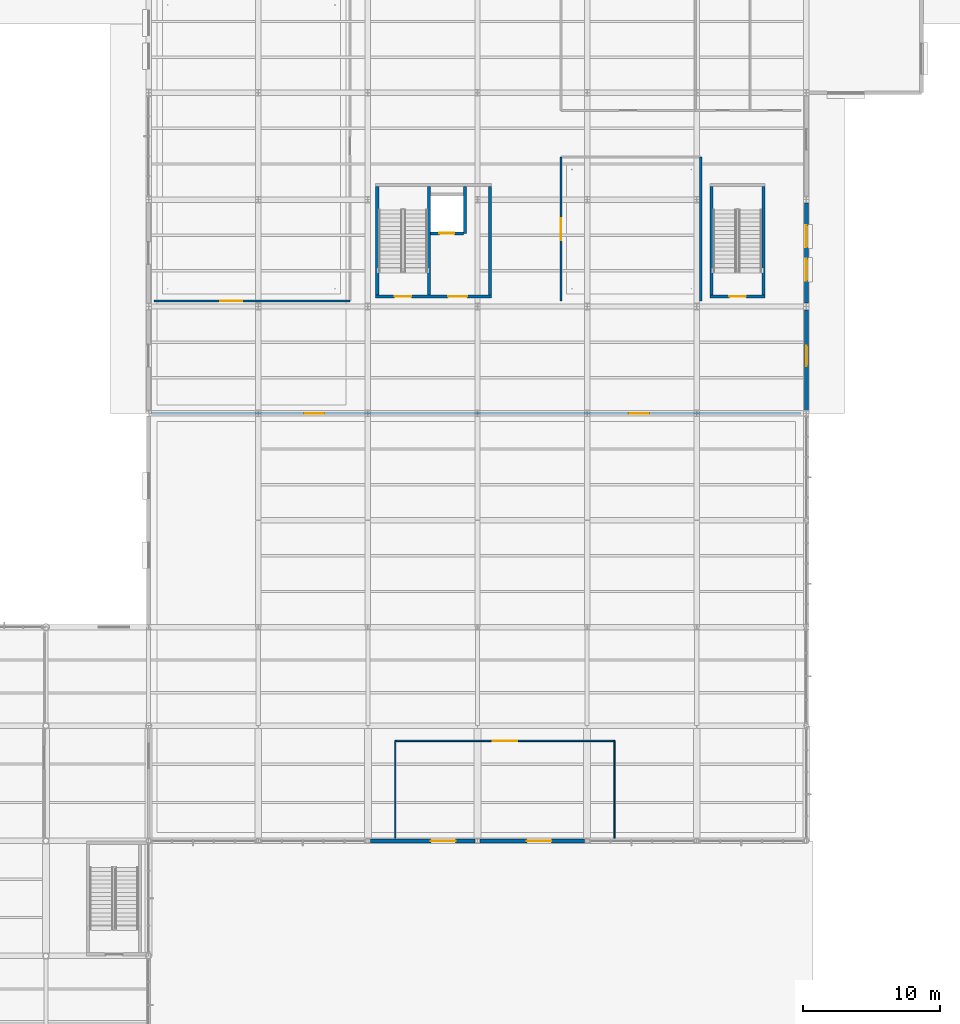
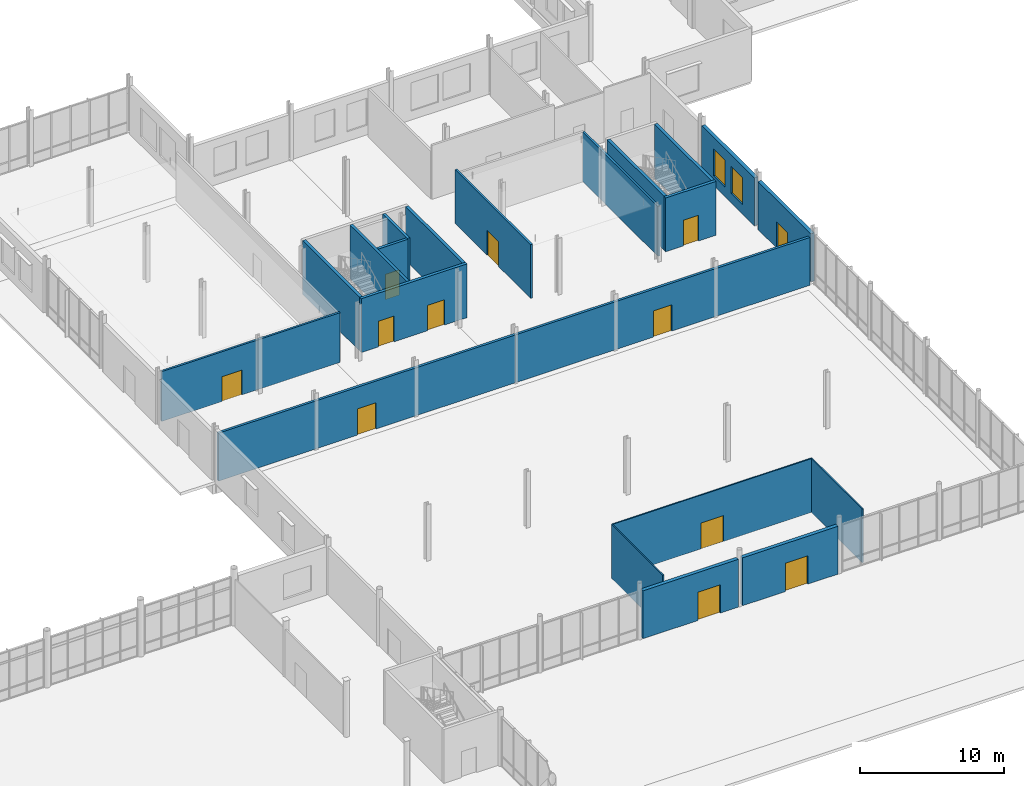
# One storey, part 54 of 82: 21 walls, 12 doors, 2 windows, 14 openings.
"""IFC4 building model written with IfcOpenShell, lengths in metres."""

from ifc_helpers import new_model, si_unit, direction, frame, frame_2d, origin, place, context, subcontext, project, spatial, rectangle, extrude, material, layer, layer_set, type_object, element, fill, save


model = new_model("IFC4")

# Units and contexts
model_context = context("Model", 3, precision=1e-05, world=origin(), true_north=direction((0.0, 1.0)))
body_context = subcontext(model_context, "Body", "Model", "MODEL_VIEW")
ifc_project = project(units=[si_unit("LENGTHUNIT", "METRE"), si_unit("AREAUNIT", "SQUARE_METRE"), si_unit("VOLUMEUNIT", "CUBIC_METRE"), si_unit("PLANEANGLEUNIT", "RADIAN"), si_unit("MASSUNIT", "GRAM", prefix="KILO")], contexts=[model_context])

# Site, building, storey
site_placement = place(None, origin())
site = spatial("IfcSite", under=ifc_project, at=site_placement, CompositionType="ELEMENT")
building_placement = place(site_placement, origin())
building = spatial("IfcBuilding", under=site, at=building_placement, Name="Yukiwa Park Conservatory and Herbarium", CompositionType="ELEMENT")
storey_placement = place(building_placement, origin())
storey = spatial("IfcBuildingStorey", under=building, at=storey_placement, Name="L00", CompositionType="ELEMENT", Elevation=0.0)

# Wall
ifc_material_1 = material(Name="Concrete C40", Category="concrete")
ifc_layer_1 = layer(ifc_material_1, 0.219970703125)
ifc_layer_set_1 = layer_set([ifc_layer_1], Name="Concrete C40")
wall_type_1 = type_object("IfcWallType", Name="WL-CORE-RC220", PredefinedType="SHEAR", material=ifc_layer_set_1)
wall_1_placement = place(storey_placement, frame((80.4599609375, 55.449951171875, 0.0), z_axis=(0.0, 0.0, 1.0), x_axis=(0.0, 1.0, 0.0)))
element("IfcWall", 1, at=wall_1_placement, inside=storey, type_object=wall_type_1, Name="L00 core shear wall 96", PredefinedType="SHEAR", context=body_context, shape_type="SweptSolid", body=[
    extrude(rectangle(XDim=7.900146484375, YDim=0.219970703125, at=frame_2d((3.9501953125, 0.0))), origin(), (0.0, 0.0, 1.0), 4.56005859375),
])

# Wall, opening, door
wall_2_placement = place(storey_placement, frame((80.570068359375, 59.93994140625, 0.0), z_axis=(0.0, 0.0, 1.0), x_axis=(1.0, 0.0, 0.0)))
wall_2 = element("IfcWall", 2, at=wall_2_placement, inside=storey, type_object=wall_type_1, Name="L00 core shear wall 98", PredefinedType="SHEAR", context=body_context, shape_type="SweptSolid", body=[
    extrude(rectangle(XDim=2.39990234375, YDim=0.219970703125, at=frame_2d((1.199951171875, 0.0))), origin(), (0.0, 0.0, 1.0), 4.56005859375),
])
opening_1_placement = place(wall_2_placement, frame((0.64990234375, 0.0, 0.0)))
opening_1 = element("IfcOpeningElement", 3, at=opening_1_placement, cuts=wall_2, Name="Opening LD-01", PredefinedType="OPENING", context=body_context, shape_type="SweptSolid", body=[
    extrude(rectangle(XDim=1.10009765625, YDim=2.14990234375, at=frame_2d((0.550048828125, 1.074951171875))), frame((0.0, 0.1201171875, 0.0), z_axis=(0.0, -1.0, 0.0), x_axis=(1.0, 0.0, 0.0)), (0.0, 0.0, 1.0), 0.239990234375),
])
ifc_material_2 = material(Name="Steel Q235B", Category="steel")
door_type_1 = type_object("IfcDoorType", Name="DR-LIFT-LD1100", OperationType="SLIDING_TO_LEFT", PredefinedType="DOOR", material=ifc_material_2)
door_1_placement = place(opening_1_placement, origin())
door_1 = element("IfcDoor", 4, at=door_1_placement, inside=storey, type_object=door_type_1, Name="L00 Visitor Accessible Lift VL1 sliding landing door", OperationType="SLIDING_TO_LEFT", OverallHeight=2.14990234375, OverallWidth=1.10009765625, PredefinedType="DOOR", context=body_context, shape_type="SweptSolid", body=[
    extrude(rectangle(XDim=1.10009765625, YDim=2.14990234375, at=frame_2d((0.550048828125, 1.074951171875))), frame((0.0, 0.02490234375, 0.0), z_axis=(0.0, -1.0, 0.0), x_axis=(1.0, 0.0, 0.0)), (0.0, 0.0, 1.0), 0.050048828125),
])
fill(opening_1, door_1)

# Wall
wall_3_placement = place(storey_placement, frame((83.080078125, 59.93994140625, 0.0), z_axis=(0.0, 0.0, 1.0), x_axis=(0.0, 1.0, 0.0)))
element("IfcWall", 5, at=wall_3_placement, inside=storey, type_object=wall_type_1, Name="L00 core shear wall 99", PredefinedType="SHEAR", context=body_context, shape_type="SweptSolid", body=[
    extrude(rectangle(XDim=3.41015625, YDim=0.219970703125, at=frame_2d((1.705078125, 0.0))), origin(), (0.0, 0.0, 1.0), 4.56005859375),
])

# Wall, openings, doors
ifc_material_3 = material(Name="Concrete C50", Category="concrete")
ifc_layer_2 = layer(ifc_material_3, 0.239990234375)
ifc_layer_set_2 = layer_set([ifc_layer_2], Name="Concrete C50")
wall_type_2 = type_object("IfcWallType", Name="WL-CORE-RC240", PredefinedType="SHEAR", material=ifc_layer_set_2)
wall_4_placement = place(storey_placement, frame((76.56005859375, 55.330078125, 0.0), z_axis=(0.0, 0.0, 1.0), x_axis=(1.0, 0.0, 0.0)))
wall_4 = element("IfcWall", 6, at=wall_4_placement, inside=storey, type_object=wall_type_2, Name="L00 core shear wall 93", PredefinedType="SHEAR", context=body_context, shape_type="SweptSolid", body=[
    extrude(rectangle(XDim=8.47998046875, YDim=0.239990234375, at=frame_2d((4.239990234375, 0.0))), origin(), (0.0, 0.0, 1.0), 4.56005859375),
])
opening_2_placement = place(wall_4_placement, frame((1.39990234375, 0.0, 0.0)))
opening_2 = element("IfcOpeningElement", 7, at=opening_2_placement, cuts=wall_4, Name="Opening SD-01", PredefinedType="OPENING", context=body_context, shape_type="SweptSolid", body=[
    extrude(rectangle(XDim=1.219970703125, YDim=2.179931640625, at=frame_2d((0.60986328125, 1.08984375))), frame((0.0, 0.1298828125, 0.0), z_axis=(0.0, -1.0, 0.0), x_axis=(1.0, 0.0, 0.0)), (0.0, 0.0, 1.0), 0.260009765625),
])
opening_3_placement = place(wall_4_placement, frame((5.300048828125, 0.0, 0.0)))
opening_3 = element("IfcOpeningElement", 8, at=opening_3_placement, cuts=wall_4, Name="Opening FD-06", PredefinedType="OPENING", context=body_context, shape_type="SweptSolid", body=[
    extrude(rectangle(XDim=1.3798828125, YDim=2.14990234375, at=frame_2d((0.68994140625, 1.074951171875))), frame((0.0, 0.1298828125, 0.0), z_axis=(0.0, -1.0, 0.0), x_axis=(1.0, 0.0, 0.0)), (0.0, 0.0, 1.0), 0.260009765625),
])
ifc_material_4 = material(Name="Steel Q235B", Category="steel")
door_type_2 = type_object("IfcDoorType", Name="DR-FIRE-FD60-1400", OperationType="DOUBLE_DOOR_SINGLE_SWING", PredefinedType="DOOR", material=ifc_material_4)
door_2_placement = place(opening_3_placement, frame((1.3798828125, 0.0, 0.0), z_axis=(0.0, 0.0, 1.0), x_axis=(-1.0, 0.0, 0.0)))
door_2 = element("IfcDoor", 9, at=door_2_placement, inside=storey, type_object=door_type_2, Name="L00 Visitor Lift Lobby double fire door", OperationType="DOUBLE_DOOR_SINGLE_SWING", OverallHeight=2.14990234375, OverallWidth=1.3798828125, PredefinedType="DOOR", context=body_context, shape_type="SweptSolid", body=[
    extrude(rectangle(XDim=1.3798828125, YDim=2.14990234375, at=frame_2d((0.68994140625, 1.074951171875))), frame((0.0, 0.02490234375, 0.0), z_axis=(0.0, -1.0, 0.0), x_axis=(1.0, 0.0, 0.0)), (0.0, 0.0, 1.0), 0.050048828125),
])
fill(opening_3, door_2)
ifc_material_5 = material(Name="Steel Q235B", Category="steel")
door_type_3 = type_object("IfcDoorType", Name="DR-STAIR-FD90-1200", OperationType="SINGLE_SWING_LEFT", PredefinedType="DOOR", material=ifc_material_5)
door_3_placement = place(opening_2_placement, origin())
door_3 = element("IfcDoor", 10, at=door_3_placement, inside=storey, type_object=door_type_3, Name="L00 Stairwell ST-V1 fire door", OperationType="SINGLE_SWING_LEFT", OverallHeight=2.179931640625, OverallWidth=1.219970703125, PredefinedType="DOOR", context=body_context, shape_type="SweptSolid", body=[
    extrude(rectangle(XDim=1.219970703125, YDim=2.179931640625, at=frame_2d((0.60986328125, 1.08984375))), frame((0.0, 0.02490234375, 0.0), z_axis=(0.0, -1.0, 0.0), x_axis=(1.0, 0.0, 0.0)), (0.0, 0.0, 1.0), 0.050048828125),
])
fill(opening_2, door_3)

# Walls
for number, where, z_axis, x_axis, name in (
    (11, (76.679931640625, 55.449951171875, 0.0), (0.0, 0.0, 1.0), (0.0, 1.0, 0.0), "L00 core shear wall 95"),
    (12, (84.919921875, 55.449951171875, 0.0), (0.0, 0.0, 1.0), (0.0, 1.0, 0.0), "L00 core shear wall 97"),
):
    element("IfcWall", number, at=place(storey_placement, frame(where, z_axis=z_axis, x_axis=x_axis)), inside=storey, type_object=wall_type_2, Name=name, PredefinedType="SHEAR", context=body_context, shape_type="SweptSolid", body=[
        extrude(rectangle(XDim=7.900146484375, YDim=0.239990234375, at=frame_2d((3.9501953125, 0.0))), origin(), (0.0, 0.0, 1.0), 4.56005859375),
    ])

# Wall, opening, door
wall_5_placement = place(storey_placement, frame((100.9599609375, 55.330078125, 0.0), z_axis=(0.0, 0.0, 1.0), x_axis=(1.0, 0.0, 0.0)))
wall_5 = element("IfcWall", 13, at=wall_5_placement, inside=storey, type_object=wall_type_2, Name="L00 core shear wall 113", PredefinedType="SHEAR", context=body_context, shape_type="SweptSolid", body=[
    extrude(rectangle(XDim=4.030029296875, YDim=0.239990234375, at=frame_2d((2.01513671875, 0.0))), origin(), (0.0, 0.0, 1.0), 4.56005859375),
])
opening_4_placement = place(wall_5_placement, frame((1.4150390625, 0.0, 0.0)))
opening_4 = element("IfcOpeningElement", 14, at=opening_4_placement, cuts=wall_5, Name="Opening SD-01", PredefinedType="OPENING", context=body_context, shape_type="SweptSolid", body=[
    extrude(rectangle(XDim=1.219970703125, YDim=2.179931640625, at=frame_2d((0.60986328125, 1.08984375))), frame((0.0, 0.1298828125, 0.0), z_axis=(0.0, -1.0, 0.0), x_axis=(1.0, 0.0, 0.0)), (0.0, 0.0, 1.0), 0.260009765625),
])
door_4_placement = place(opening_4_placement, origin())
door_4 = element("IfcDoor", 15, at=door_4_placement, inside=storey, type_object=door_type_3, Name="L00 Stairwell ST-V2 fire door", OperationType="SINGLE_SWING_LEFT", OverallHeight=2.179931640625, OverallWidth=1.219970703125, PredefinedType="DOOR", context=body_context, shape_type="SweptSolid", body=[
    extrude(rectangle(XDim=1.219970703125, YDim=2.179931640625, at=frame_2d((0.60986328125, 1.08984375))), frame((0.0, 0.02490234375, 0.0), z_axis=(0.0, -1.0, 0.0), x_axis=(1.0, 0.0, 0.0)), (0.0, 0.0, 1.0), 0.050048828125),
])
fill(opening_4, door_4)

# Walls
for number, where, z_axis, x_axis, name in (
    (16, (101.080078125, 55.449951171875, 0.0), (0.0, 0.0, 1.0), (0.0, 1.0, 0.0), "L00 core shear wall 115"),
    (17, (104.8701171875, 55.449951171875, 0.0), (0.0, 0.0, 1.0), (0.0, 1.0, 0.0), "L00 core shear wall 116"),
):
    element("IfcWall", number, at=place(storey_placement, frame(where, z_axis=z_axis, x_axis=x_axis)), inside=storey, type_object=wall_type_2, Name=name, PredefinedType="SHEAR", context=body_context, shape_type="SweptSolid", body=[
        extrude(rectangle(XDim=7.900146484375, YDim=0.239990234375, at=frame_2d((3.9501953125, 0.0))), origin(), (0.0, 0.0, 1.0), 4.56005859375),
    ])

# Wall, opening, door
ifc_material_6 = material(Name="Charred Larch Cladding", Category="wood")
ifc_layer_3 = layer(ifc_material_6, 0.2900390625)
ifc_layer_set_3 = layer_set([ifc_layer_3], Name="Charred Larch Cladding")
wall_type_3 = type_object("IfcWallType", Name="WL-EXT-LARCH-290", PredefinedType="SOLIDWALL", material=ifc_layer_set_3)
wall_6_placement = place(storey_placement, frame((76.177734375, 15.60009765625, 0.0), z_axis=(0.0, 0.0, 1.0), x_axis=(1.0, 0.0, 0.0)))
wall_6 = element("IfcWall", 18, at=wall_6_placement, inside=storey, type_object=wall_type_3, Name="L00 exterior envelope wall 94", PredefinedType="SOLIDWALL", context=body_context, shape_type="SweptSolid", body=[
    extrude(rectangle(XDim=7.64453125, YDim=0.2900390625, at=frame_2d((3.822265625, 0.0))), origin(), (0.0, 0.0, 1.0), 4.06005859375),
])
opening_5_placement = place(wall_6_placement, frame((4.422119140625, 0.0, 0.0)))
opening_5 = element("IfcOpeningElement", 19, at=opening_5_placement, cuts=wall_6, Name="Opening EX-D1", PredefinedType="OPENING", context=body_context, shape_type="SweptSolid", body=[
    extrude(rectangle(XDim=1.800048828125, YDim=2.39990234375, at=frame_2d((0.89990234375, 1.199951171875))), frame((0.0, 0.155029296875, 0.0), z_axis=(0.0, -1.0, 0.0), x_axis=(1.0, 0.0, 0.0)), (0.0, 0.0, 1.0), 0.31005859375),
])
ifc_material_7 = material(Name="Anodised Aluminium", Category="aluminium")
door_type_4 = type_object("IfcDoorType", Name="DR-EXT-1800X2400", OperationType="DOUBLE_DOOR_SINGLE_SWING", PredefinedType="DOOR", material=ifc_material_7)
door_5_placement = place(opening_5_placement, frame((1.800048828125, 0.0, 0.0), z_axis=(0.0, 0.0, 1.0), x_axis=(-1.0, 0.0, 0.0)))
door_5 = element("IfcDoor", 20, at=door_5_placement, inside=storey, type_object=door_type_4, Name="Winter Entrance Porch portal W EX-07", OperationType="DOUBLE_DOOR_SINGLE_SWING", OverallHeight=2.39990234375, OverallWidth=1.800048828125, PredefinedType="DOOR", context=body_context, shape_type="SweptSolid", body=[
    extrude(rectangle(XDim=1.800048828125, YDim=2.39990234375, at=frame_2d((0.89990234375, 1.199951171875))), frame((0.0, 0.02490234375, 0.0), z_axis=(0.0, -1.0, 0.0), x_axis=(1.0, 0.0, 0.0)), (0.0, 0.0, 1.0), 0.050048828125),
])
fill(opening_5, door_5)

wall_7_placement = place(storey_placement, frame((84.177734375, 15.60009765625, 0.0), z_axis=(0.0, 0.0, 1.0), x_axis=(1.0, 0.0, 0.0)))
wall_7 = element("IfcWall", 21, at=wall_7_placement, inside=storey, type_object=wall_type_3, Name="L00 exterior envelope wall 95", PredefinedType="SOLIDWALL", context=body_context, shape_type="SweptSolid", body=[
    extrude(rectangle(XDim=7.64453125, YDim=0.2900390625, at=frame_2d((3.822265625, 0.0))), origin(), (0.0, 0.0, 1.0), 4.06005859375),
])
opening_6_placement = place(wall_7_placement, frame((3.422119140625, 0.0, 0.0)))
opening_6 = element("IfcOpeningElement", 22, at=opening_6_placement, cuts=wall_7, Name="Opening EX-D1", PredefinedType="OPENING", context=body_context, shape_type="SweptSolid", body=[
    extrude(rectangle(XDim=1.800048828125, YDim=2.39990234375, at=frame_2d((0.89990234375, 1.199951171875))), frame((0.0, 0.155029296875, 0.0), z_axis=(0.0, -1.0, 0.0), x_axis=(1.0, 0.0, 0.0)), (0.0, 0.0, 1.0), 0.31005859375),
])
door_6_placement = place(opening_6_placement, frame((1.800048828125, 0.0, 0.0), z_axis=(0.0, 0.0, 1.0), x_axis=(-1.0, 0.0, 0.0)))
door_6 = element("IfcDoor", 23, at=door_6_placement, inside=storey, type_object=door_type_4, Name="Winter Entrance Porch portal E EX-08", OperationType="DOUBLE_DOOR_SINGLE_SWING", OverallHeight=2.39990234375, OverallWidth=1.800048828125, PredefinedType="DOOR", context=body_context, shape_type="SweptSolid", body=[
    extrude(rectangle(XDim=1.800048828125, YDim=2.39990234375, at=frame_2d((0.89990234375, 1.199951171875))), frame((0.0, 0.02490234375, 0.0), z_axis=(0.0, -1.0, 0.0), x_axis=(1.0, 0.0, 0.0)), (0.0, 0.0, 1.0), 0.050048828125),
])
fill(opening_6, door_6)

wall_8_placement = place(storey_placement, frame((108.0, 47.02001953125, 0.0), z_axis=(0.0, 0.0, 1.0), x_axis=(0.0, 1.0, 0.0)))
wall_8 = element("IfcWall", 24, at=wall_8_placement, inside=storey, type_object=wall_type_3, Name="L00 exterior envelope wall 96", PredefinedType="SOLIDWALL", context=body_context, shape_type="SweptSolid", body=[
    extrude(rectangle(XDim=7.3359375, YDim=0.2900390625, at=frame_2d((3.66796875, 0.0))), origin(), (0.0, 0.0, 1.0), 4.06591796875),
])
opening_7_placement = place(wall_8_placement, frame((3.22998046875, 0.0, 0.0)))
opening_7 = element("IfcOpeningElement", 25, at=opening_7_placement, cuts=wall_8, Name="Opening EX-D3", PredefinedType="OPENING", context=body_context, shape_type="SweptSolid", body=[
    extrude(rectangle(XDim=1.5, YDim=2.199951171875, at=frame_2d((0.75, 1.10009765625))), frame((0.0, 0.155029296875, 0.0), z_axis=(0.0, -1.0, 0.0), x_axis=(1.0, 0.0, 0.0)), (0.0, 0.0, 1.0), 0.31005859375),
])
ifc_material_8 = material(Name="Steel Q235B", Category="steel")
door_type_5 = type_object("IfcDoorType", Name="DR-EXT-1500X2200", OperationType="DOUBLE_DOOR_SINGLE_SWING", PredefinedType="DOOR", material=ifc_material_8)
door_7_placement = place(opening_7_placement, frame((1.5, 0.0, 0.0), z_axis=(0.0, 0.0, 1.0), x_axis=(-1.0, 0.0, 0.0)))
door_7 = element("IfcDoor", 26, at=door_7_placement, inside=storey, type_object=door_type_5, Name="Visitor Centre East stair exit EX-11", OperationType="DOUBLE_DOOR_SINGLE_SWING", OverallHeight=2.199951171875, OverallWidth=1.5, PredefinedType="DOOR", context=body_context, shape_type="SweptSolid", body=[
    extrude(rectangle(XDim=1.5, YDim=2.199951171875, at=frame_2d((0.75, 1.10009765625))), frame((0.0, 0.02490234375, 0.0), z_axis=(0.0, -1.0, 0.0), x_axis=(1.0, 0.0, 0.0)), (0.0, 0.0, 1.0), 0.050048828125),
])
fill(opening_7, door_7)

# Wall, openings, windows
wall_9_placement = place(storey_placement, frame((108.0, 54.843994140625, 0.0), z_axis=(0.0, 0.0, 1.0), x_axis=(0.0, 1.0, 0.0)))
wall_9 = element("IfcWall", 27, at=wall_9_placement, inside=storey, type_object=wall_type_3, Name="L00 exterior envelope wall 97", PredefinedType="SOLIDWALL", context=body_context, shape_type="SweptSolid", body=[
    extrude(rectangle(XDim=7.31201171875, YDim=0.2900390625, at=frame_2d((3.656005859375, 0.0))), origin(), (0.0, 0.0, 1.0), 4.06591796875),
])
opening_8_placement = place(wall_9_placement, frame((1.636962890625, 0.0, 0.800048828125)))
opening_8 = element("IfcOpeningElement", 28, at=opening_8_placement, cuts=wall_9, Name="Opening W-28", PredefinedType="OPENING", context=body_context, shape_type="SweptSolid", body=[
    extrude(rectangle(XDim=1.60009765625, YDim=2.300048828125, at=frame_2d((0.800048828125, 1.14990234375))), frame((0.0, 0.155029296875, 0.0), z_axis=(0.0, -1.0, 0.0), x_axis=(1.0, 0.0, 0.0)), (0.0, 0.0, 1.0), 0.31005859375),
])
opening_9_placement = place(wall_9_placement, frame((4.074951171875, 0.0, 0.800048828125)))
opening_9 = element("IfcOpeningElement", 29, at=opening_9_placement, cuts=wall_9, Name="Opening W-28", PredefinedType="OPENING", context=body_context, shape_type="SweptSolid", body=[
    extrude(rectangle(XDim=1.60009765625, YDim=2.300048828125, at=frame_2d((0.800048828125, 1.14990234375))), frame((0.0, 0.155029296875, 0.0), z_axis=(0.0, -1.0, 0.0), x_axis=(1.0, 0.0, 0.0)), (0.0, 0.0, 1.0), 0.31005859375),
])
ifc_material_9 = material(Name="Triple Low-E Insulated Glass", Category="glass")
window_type = type_object("IfcWindowType", Name="WN-VS-1600X2300", PartitioningType="SINGLE_PANEL", PredefinedType="WINDOW", material=ifc_material_9)
window_1_placement = place(opening_8_placement, origin())
window_1 = element("IfcWindow", 30, at=window_1_placement, inside=storey, type_object=window_type, Name="L00 deep-reveal triple-glazed window 1", OverallHeight=2.300048828125, OverallWidth=1.60009765625, PartitioningType="SINGLE_PANEL", PredefinedType="WINDOW", context=body_context, shape_type="SweptSolid", body=[
    extrude(rectangle(XDim=1.60009765625, YDim=2.300048828125, at=frame_2d((0.800048828125, 1.14990234375))), frame((0.0, 0.030029296875, 0.0), z_axis=(0.0, -1.0, 0.0), x_axis=(1.0, 0.0, 0.0)), (0.0, 0.0, 1.0), 0.06005859375),
])
fill(opening_8, window_1)
window_2_placement = place(opening_9_placement, origin())
window_2 = element("IfcWindow", 31, at=window_2_placement, inside=storey, type_object=window_type, Name="L00 deep-reveal triple-glazed window 2", OverallHeight=2.300048828125, OverallWidth=1.60009765625, PartitioningType="SINGLE_PANEL", PredefinedType="WINDOW", context=body_context, shape_type="SweptSolid", body=[
    extrude(rectangle(XDim=1.60009765625, YDim=2.300048828125, at=frame_2d((0.800048828125, 1.14990234375))), frame((0.0, 0.030029296875, 0.0), z_axis=(0.0, -1.0, 0.0), x_axis=(1.0, 0.0, 0.0)), (0.0, 0.0, 1.0), 0.06005859375),
])
fill(opening_9, window_2)

# Wall, opening, door
ifc_material_10 = material(Name="Gypsum Board Partition", Category="gypsum")
ifc_layer_4 = layer(ifc_material_10, 0.199951171875)
ifc_layer_set_4 = layer_set([ifc_layer_4], Name="Gypsum Board Partition")
wall_type_4 = type_object("IfcWallType", Name="WL-PART-FIRE-200", PredefinedType="SOLIDWALL", material=ifc_layer_set_4)
wall_10_placement = place(storey_placement, frame((60.199951171875, 46.800048828125, 0.0), z_axis=(0.0, 0.0, 1.0), x_axis=(1.0, 0.0, 0.0)))
wall_10 = element("IfcWall", 32, at=wall_10_placement, inside=storey, type_object=wall_type_4, Name="L00 interior partition wall 133", PredefinedType="SOLIDWALL", context=body_context, shape_type="SweptSolid", body=[
    extrude(rectangle(XDim=23.800048828125, YDim=0.199951171875, at=frame_2d((11.89990234375, 0.0))), origin(), (0.0, 0.0, 1.0), 4.06005859375),
])
opening_10_placement = place(wall_10_placement, frame((11.14990234375, 0.0, 0.0)))
opening_10 = element("IfcOpeningElement", 33, at=opening_10_placement, cuts=wall_10, Name="Opening FD-07", PredefinedType="OPENING", context=body_context, shape_type="SweptSolid", body=[
    extrude(rectangle(XDim=1.47998046875, YDim=2.219970703125, at=frame_2d((0.739990234375, 1.10986328125))), frame((0.0, 0.10986328125, 0.0), z_axis=(0.0, -1.0, 0.0), x_axis=(1.0, 0.0, 0.0)), (0.0, 0.0, 1.0), 0.219970703125),
])
ifc_material_11 = material(Name="Steel Q235B", Category="steel")
door_type_6 = type_object("IfcDoorType", Name="DR-FIRE-FD60-1500", OperationType="DOUBLE_DOOR_SINGLE_SWING", PredefinedType="DOOR", material=ifc_material_11)
door_8_placement = place(opening_10_placement, origin())
door_8 = element("IfcDoor", 34, at=door_8_placement, inside=storey, type_object=door_type_6, Name="L00 Concourse to Visitor Centre fire door W", OperationType="DOUBLE_DOOR_SINGLE_SWING", OverallHeight=2.219970703125, OverallWidth=1.47998046875, PredefinedType="DOOR", context=body_context, shape_type="SweptSolid", body=[
    extrude(rectangle(XDim=1.47998046875, YDim=2.219970703125, at=frame_2d((0.739990234375, 1.10986328125))), frame((0.0, 0.02490234375, 0.0), z_axis=(0.0, -1.0, 0.0), x_axis=(1.0, 0.0, 0.0)), (0.0, 0.0, 1.0), 0.050048828125),
])
fill(opening_10, door_8)

wall_11_placement = place(storey_placement, frame((84.0, 46.800048828125, 0.0), z_axis=(0.0, 0.0, 1.0), x_axis=(1.0, 0.0, 0.0)))
wall_11 = element("IfcWall", 35, at=wall_11_placement, inside=storey, type_object=wall_type_4, Name="L00 interior partition wall 134", PredefinedType="SOLIDWALL", context=body_context, shape_type="SweptSolid", body=[
    extrude(rectangle(XDim=23.60009765625, YDim=0.199951171875, at=frame_2d((11.800048828125, 0.0))), origin(), (0.0, 0.0, 1.0), 4.06005859375),
])
opening_11_placement = place(wall_11_placement, frame((11.050048828125, 0.0, 0.0)))
opening_11 = element("IfcOpeningElement", 36, at=opening_11_placement, cuts=wall_11, Name="Opening FD-07", PredefinedType="OPENING", context=body_context, shape_type="SweptSolid", body=[
    extrude(rectangle(XDim=1.47998046875, YDim=2.219970703125, at=frame_2d((0.739990234375, 1.10986328125))), frame((0.0, 0.10986328125, 0.0), z_axis=(0.0, -1.0, 0.0), x_axis=(1.0, 0.0, 0.0)), (0.0, 0.0, 1.0), 0.219970703125),
])
door_9_placement = place(opening_11_placement, origin())
door_9 = element("IfcDoor", 37, at=door_9_placement, inside=storey, type_object=door_type_6, Name="L00 Concourse to Visitor Centre fire door E", OperationType="DOUBLE_DOOR_SINGLE_SWING", OverallHeight=2.219970703125, OverallWidth=1.47998046875, PredefinedType="DOOR", context=body_context, shape_type="SweptSolid", body=[
    extrude(rectangle(XDim=1.47998046875, YDim=2.219970703125, at=frame_2d((0.739990234375, 1.10986328125))), frame((0.0, 0.02490234375, 0.0), z_axis=(0.0, -1.0, 0.0), x_axis=(1.0, 0.0, 0.0)), (0.0, 0.0, 1.0), 0.050048828125),
])
fill(opening_11, door_9)

ifc_material_12 = material(Name="Laminated Tempered Safety Glass", Category="glass")
ifc_layer_5 = layer(ifc_material_12, 0.10009765625)
ifc_layer_set_5 = layer_set([ifc_layer_5], Name="Laminated Tempered Safety Glass")
wall_type_5 = type_object("IfcWallType", Name="WL-PART-GLZ-150", PredefinedType="PARTITIONING", material=ifc_layer_set_5)
wall_12_placement = place(storey_placement, frame((78.0, 22.89990234375, 0.0), z_axis=(0.0, 0.0, 1.0), x_axis=(1.0, 0.0, 0.0)))
wall_12 = element("IfcWall", 38, at=wall_12_placement, inside=storey, type_object=wall_type_5, Name="L00 interior partition wall 130", PredefinedType="PARTITIONING", context=body_context, shape_type="SweptSolid", body=[
    extrude(rectangle(XDim=16.0, YDim=0.10009765625, at=frame_2d((8.0, 0.0))), origin(), (0.0, 0.0, 1.0), 4.56005859375),
])
opening_12_placement = place(wall_12_placement, frame((7.10009765625, 0.0, 0.0)))
opening_12 = element("IfcOpeningElement", 39, at=opening_12_placement, cuts=wall_12, Name="Opening GD-18", PredefinedType="OPENING", context=body_context, shape_type="SweptSolid", body=[
    extrude(rectangle(XDim=1.800048828125, YDim=2.199951171875, at=frame_2d((0.89990234375, 1.10009765625))), frame((0.0, 0.06005859375, 0.0), z_axis=(0.0, -1.0, 0.0), x_axis=(1.0, 0.0, 0.0)), (0.0, 0.0, 1.0), 0.1201171875),
])
ifc_material_13 = material(Name="Laminated Tempered Safety Glass", Category="glass")
door_type_7 = type_object("IfcDoorType", Name="DR-GLZ-1800", OperationType="DOUBLE_DOOR_SINGLE_SWING", PredefinedType="DOOR", material=ifc_material_13)
door_10_placement = place(opening_12_placement, origin())
door_10 = element("IfcDoor", 40, at=door_10_placement, inside=storey, type_object=door_type_7, Name="L00 Winter Entrance inner airlock door", OperationType="DOUBLE_DOOR_SINGLE_SWING", OverallHeight=2.199951171875, OverallWidth=1.800048828125, PredefinedType="DOOR", context=body_context, shape_type="SweptSolid", body=[
    extrude(rectangle(XDim=1.800048828125, YDim=2.199951171875, at=frame_2d((0.89990234375, 1.10009765625))), frame((0.0, 0.02490234375, 0.0), z_axis=(0.0, -1.0, 0.0), x_axis=(1.0, 0.0, 0.0)), (0.0, 0.0, 1.0), 0.050048828125),
])
fill(opening_12, door_10)

# Walls
for number, where, z_axis, x_axis, name in (
    (41, (78.0, 15.800048828125, 0.0), (0.0, 0.0, 1.0), (0.0, 1.0, 0.0), "L00 interior partition wall 131"),
    (42, (94.0, 15.800048828125, 0.0), (0.0, 0.0, 1.0), (0.0, 1.0, 0.0), "L00 interior partition wall 132"),
):
    element("IfcWall", number, at=place(storey_placement, frame(where, z_axis=z_axis, x_axis=x_axis)), inside=storey, type_object=wall_type_5, Name=name, PredefinedType="PARTITIONING", context=body_context, shape_type="SweptSolid", body=[
        extrude(rectangle(XDim=7.099853515625, YDim=0.10009765625, at=frame_2d((3.5498046875, 0.0))), origin(), (0.0, 0.0, 1.0), 4.56005859375),
    ])

# Wall, opening, door
ifc_material_14 = material(Name="Gypsum Board Partition", Category="gypsum")
ifc_layer_6 = layer(ifc_material_14, 0.159912109375)
ifc_layer_set_6 = layer_set([ifc_layer_6], Name="Gypsum Board Partition")
wall_type_6 = type_object("IfcWallType", Name="WL-PART-GYP-160", PredefinedType="PARTITIONING", material=ifc_layer_set_6)
wall_13_placement = place(storey_placement, frame((60.39990234375, 55.0, 0.0), z_axis=(0.0, 0.0, 1.0), x_axis=(1.0, 0.0, 0.0)))
wall_13 = element("IfcWall", 43, at=wall_13_placement, inside=storey, type_object=wall_type_6, Name="L00 interior partition wall 136", PredefinedType="PARTITIONING", context=body_context, shape_type="SweptSolid", body=[
    extrude(rectangle(XDim=14.300048828125, YDim=0.159912109375, at=frame_2d((7.14990234375, 0.0))), origin(), (0.0, 0.0, 1.0), 4.219970703125),
])
opening_13_placement = place(wall_13_placement, frame((4.825927734375, 0.0, 0.0)))
opening_13 = element("IfcOpeningElement", 44, at=opening_13_placement, cuts=wall_13, Name="Opening GD-16", PredefinedType="OPENING", context=body_context, shape_type="SweptSolid", body=[
    extrude(rectangle(XDim=1.60009765625, YDim=2.10009765625, at=frame_2d((0.800048828125, 1.050048828125))), frame((0.0, 0.08984375, 0.0), z_axis=(0.0, -1.0, 0.0), x_axis=(1.0, 0.0, 0.0)), (0.0, 0.0, 1.0), 0.179931640625),
])
ifc_material_15 = material(Name="Laminated Tempered Safety Glass", Category="glass")
door_type_8 = type_object("IfcDoorType", Name="DR-GLZ-1600", OperationType="DOUBLE_DOOR_SINGLE_SWING", PredefinedType="DOOR", material=ifc_material_15)
door_11_placement = place(opening_13_placement, origin())
door_11 = element("IfcDoor", 45, at=door_11_placement, inside=storey, type_object=door_type_8, Name="L00 Visitor Centre main entrance door", OperationType="DOUBLE_DOOR_SINGLE_SWING", OverallHeight=2.10009765625, OverallWidth=1.60009765625, PredefinedType="DOOR", context=body_context, shape_type="SweptSolid", body=[
    extrude(rectangle(XDim=1.60009765625, YDim=2.10009765625, at=frame_2d((0.800048828125, 1.050048828125))), frame((0.0, 0.02490234375, 0.0), z_axis=(0.0, -1.0, 0.0), x_axis=(1.0, 0.0, 0.0)), (0.0, 0.0, 1.0), 0.050048828125),
])
fill(opening_13, door_11)

wall_14_placement = place(storey_placement, frame((90.10009765625, 55.0, 0.0), z_axis=(0.0, 0.0, 1.0), x_axis=(0.0, 1.0, 0.0)))
wall_14 = element("IfcWall", 46, at=wall_14_placement, inside=storey, type_object=wall_type_6, Name="L00 interior partition wall 137", PredefinedType="PARTITIONING", context=body_context, shape_type="SweptSolid", body=[
    extrude(rectangle(XDim=10.5, YDim=0.159912109375, at=frame_2d((5.25, 0.0))), origin(), (0.0, 0.0, 1.0), 4.56005859375),
])
opening_14_placement = place(wall_14_placement, frame((4.449951171875, 0.0, 0.0)))
opening_14 = element("IfcOpeningElement", 47, at=opening_14_placement, cuts=wall_14, Name="Opening GD-16", PredefinedType="OPENING", context=body_context, shape_type="SweptSolid", body=[
    extrude(rectangle(XDim=1.60009765625, YDim=2.10009765625, at=frame_2d((0.800048828125, 1.050048828125))), frame((0.0, 0.08984375, 0.0), z_axis=(0.0, -1.0, 0.0), x_axis=(1.0, 0.0, 0.0)), (0.0, 0.0, 1.0), 0.179931640625),
])
door_12_placement = place(opening_14_placement, origin())
door_12 = element("IfcDoor", 48, at=door_12_placement, inside=storey, type_object=door_type_8, Name="L00 Exhibition Gallery entrance door", OperationType="DOUBLE_DOOR_SINGLE_SWING", OverallHeight=2.10009765625, OverallWidth=1.60009765625, PredefinedType="DOOR", context=body_context, shape_type="SweptSolid", body=[
    extrude(rectangle(XDim=1.60009765625, YDim=2.10009765625, at=frame_2d((0.800048828125, 1.050048828125))), frame((0.0, 0.02490234375, 0.0), z_axis=(0.0, -1.0, 0.0), x_axis=(1.0, 0.0, 0.0)), (0.0, 0.0, 1.0), 0.050048828125),
])
fill(opening_14, door_12)

# Wall
wall_15_placement = place(storey_placement, frame((100.300048828125, 55.0, 0.0), z_axis=(0.0, 0.0, 1.0), x_axis=(0.0, 1.0, 0.0)))
element("IfcWall", 49, at=wall_15_placement, inside=storey, type_object=wall_type_6, Name="L00 interior partition wall 139", PredefinedType="PARTITIONING", context=body_context, shape_type="SweptSolid", body=[
    extrude(rectangle(XDim=10.5, YDim=0.159912109375, at=frame_2d((5.25, 0.0))), origin(), (0.0, 0.0, 1.0), 4.2099609375),
])

save(model, "model.ifc")
